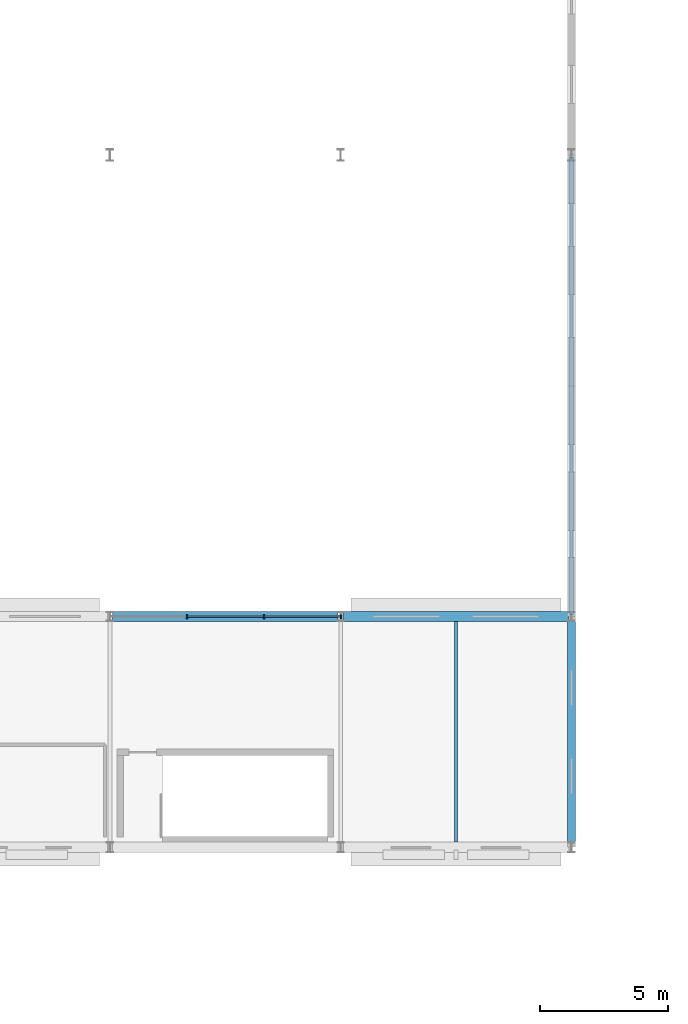
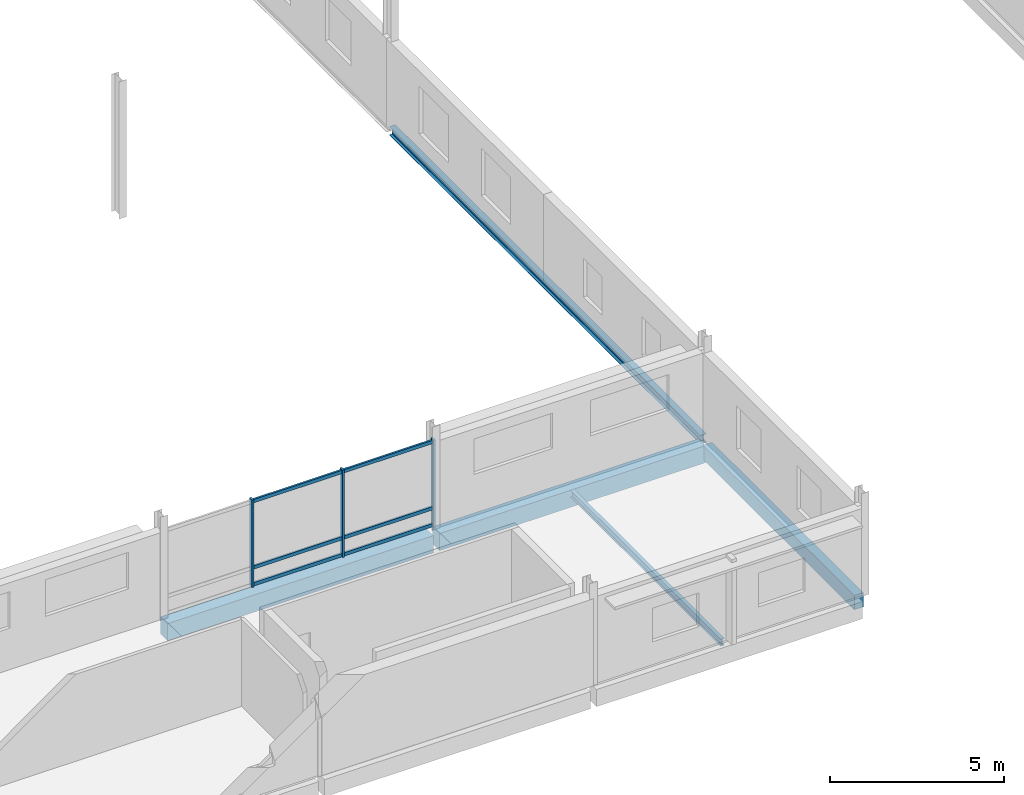
# One storey, part 70 of 132: 9 members, 5 beams, 1 element without a shape of its own.
"""IFC4 building model written with IfcOpenShell, lengths in metres."""

from ifc_helpers import new_model, si_unit, direction, frame, origin, origin_2d, place, context, subcontext, project, spatial, rectangle, i_section, extrude, material, material_profile, profile_set, type_object, element, aggregate, save


model = new_model("IFC4")

# Units and contexts
model_context = context("Model", 3, precision=1e-05, world=origin(), true_north=direction((0.0, 1.0)))
body_context = subcontext(model_context, "Body", "Model", "MODEL_VIEW")
ifc_project = project(units=[si_unit("LENGTHUNIT", "METRE"), si_unit("AREAUNIT", "SQUARE_METRE"), si_unit("VOLUMEUNIT", "CUBIC_METRE"), si_unit("PLANEANGLEUNIT", "RADIAN"), si_unit("MASSUNIT", "GRAM", prefix="KILO")], contexts=[model_context])

# Site, building, storey
site_placement = place(None, origin())
site = spatial("IfcSite", under=ifc_project, at=site_placement, CompositionType="ELEMENT")
building_placement = place(site_placement, origin())
building = spatial("IfcBuilding", under=site, at=building_placement, Name="Tharagai Park Tramway Depot", CompositionType="ELEMENT")
storey_placement = place(building_placement, frame((0.0, 0.0, 4.800048828125)))
storey = spatial("IfcBuildingStorey", under=building, at=storey_placement, Name="L01", CompositionType="ELEMENT", Elevation=4.800048828125)

# Curtain wall, members
ifc_material_1 = material(Name="Anodised aluminium", Category="aluminium")
curtain_wall_type = type_object("IfcCurtainWallType", Name="CW-01", PredefinedType="NOTDEFINED", material=ifc_material_1)
curtain_wall_placement = place(storey_placement, origin())
curtain_wall = element("IfcCurtainWall", 1, at=curtain_wall_placement, inside=storey, type_object=curtain_wall_type, Name="L01 V1 Gothic Mullioned Curtain Wall CW-01", PredefinedType="NOTDEFINED")
ifc_material_profile_1 = material_profile(ifc_material_1, rectangle(XDim=0.06494140625, YDim=0.1201171875, at=origin_2d()), Name="ALU 65x120")
ifc_profile_set_1 = profile_set([ifc_material_profile_1], Name="Anodised aluminium")
member_type_1 = type_object("IfcMemberType", Name="CM-01", PredefinedType="USERDEFINED", material=ifc_profile_set_1)
member_1_placement = place(storey_placement, frame((129.013671875, 99.0, 0.06005859375), z_axis=(1.0, 0.0, 0.0), x_axis=(0.0, 1.0, 0.0)))
member_1 = element("IfcMember", 2, at=member_1_placement, type_object=member_type_1, Name="L01 V1 Gothic Mullioned Curtain Wall Transom 2.1", ObjectType="TRANSOM", PredefinedType="USERDEFINED", context=body_context, shape_type="SweptSolid", body=[
    extrude(rectangle(XDim=0.06494140625, YDim=0.1201171875, at=origin_2d()), origin(), (0.0, 0.0, 1.0), 2.97265625),
])
member_2_placement = place(storey_placement, frame((129.013671875, 99.0, 0.64990234375), z_axis=(1.0, 0.0, 0.0), x_axis=(0.0, 1.0, 0.0)))
member_2 = element("IfcMember", 3, at=member_2_placement, type_object=member_type_1, Name="L01 V1 Gothic Mullioned Curtain Wall Transom 2.2", ObjectType="TRANSOM", PredefinedType="USERDEFINED", context=body_context, shape_type="SweptSolid", body=[
    extrude(rectangle(XDim=0.06494140625, YDim=0.1201171875, at=origin_2d()), origin(), (0.0, 0.0, 1.0), 2.97265625),
])
member_3_placement = place(storey_placement, frame((129.013671875, 99.0, 2.969970703125), z_axis=(1.0, 0.0, 0.0), x_axis=(0.0, 1.0, 0.0)))
member_3 = element("IfcMember", 4, at=member_3_placement, type_object=member_type_1, Name="L01 V1 Gothic Mullioned Curtain Wall Transom 2.3", ObjectType="TRANSOM", PredefinedType="USERDEFINED", context=body_context, shape_type="SweptSolid", body=[
    extrude(rectangle(XDim=0.06494140625, YDim=0.1201171875, at=origin_2d()), origin(), (0.0, 0.0, 1.0), 2.97265625),
])
member_4_placement = place(storey_placement, frame((132.016357421875, 99.0, 0.06005859375), z_axis=(1.0, 0.0, 0.0), x_axis=(0.0, 1.0, 0.0)))
member_4 = element("IfcMember", 5, at=member_4_placement, type_object=member_type_1, Name="L01 V1 Gothic Mullioned Curtain Wall Transom 3.1", ObjectType="TRANSOM", PredefinedType="USERDEFINED", context=body_context, shape_type="SweptSolid", body=[
    extrude(rectangle(XDim=0.06494140625, YDim=0.1201171875, at=origin_2d()), origin(), (0.0, 0.0, 1.0), 2.97265625),
])
member_5_placement = place(storey_placement, frame((132.016357421875, 99.0, 0.64990234375), z_axis=(1.0, 0.0, 0.0), x_axis=(0.0, 1.0, 0.0)))
member_5 = element("IfcMember", 6, at=member_5_placement, type_object=member_type_1, Name="L01 V1 Gothic Mullioned Curtain Wall Transom 3.2", ObjectType="TRANSOM", PredefinedType="USERDEFINED", context=body_context, shape_type="SweptSolid", body=[
    extrude(rectangle(XDim=0.06494140625, YDim=0.1201171875, at=origin_2d()), origin(), (0.0, 0.0, 1.0), 2.97265625),
])
member_6_placement = place(storey_placement, frame((132.016357421875, 99.0, 2.969970703125), z_axis=(1.0, 0.0, 0.0), x_axis=(0.0, 1.0, 0.0)))
member_6 = element("IfcMember", 7, at=member_6_placement, type_object=member_type_1, Name="L01 V1 Gothic Mullioned Curtain Wall Transom 3.3", ObjectType="TRANSOM", PredefinedType="USERDEFINED", context=body_context, shape_type="SweptSolid", body=[
    extrude(rectangle(XDim=0.06494140625, YDim=0.1201171875, at=origin_2d()), origin(), (0.0, 0.0, 1.0), 2.97265625),
])
ifc_material_profile_2 = material_profile(ifc_material_1, rectangle(XDim=0.06494140625, YDim=0.14990234375, at=origin_2d()), Name="ALU 65x150")
ifc_profile_set_2 = profile_set([ifc_material_profile_2], Name="Anodised aluminium")
member_type_2 = type_object("IfcMemberType", Name="CM-03", PredefinedType="MULLION", material=ifc_profile_set_2)
member_7_placement = place(storey_placement, frame((128.998779296875, 99.0, -0.005126953125), z_axis=(0.0, 0.0, 1.0), x_axis=(1.0, 0.0, 0.0)))
member_7 = element("IfcMember", 8, at=member_7_placement, type_object=member_type_2, Name="L01 V1 Gothic Mullioned Curtain Wall Mullion 2", PredefinedType="MULLION", context=body_context, shape_type="SweptSolid", body=[
    extrude(rectangle(XDim=0.06494140625, YDim=0.14990234375, at=origin_2d()), origin(), (0.0, 0.0, 1.0), 3.06005859375),
])
member_8_placement = place(storey_placement, frame((132.001220703125, 99.0, -0.005126953125), z_axis=(0.0, 0.0, 1.0), x_axis=(1.0, 0.0, 0.0)))
member_8 = element("IfcMember", 9, at=member_8_placement, type_object=member_type_2, Name="L01 V1 Gothic Mullioned Curtain Wall Mullion 3", PredefinedType="MULLION", context=body_context, shape_type="SweptSolid", body=[
    extrude(rectangle(XDim=0.06494140625, YDim=0.14990234375, at=origin_2d()), origin(), (0.0, 0.0, 1.0), 3.06005859375),
])
member_9_placement = place(storey_placement, frame((135.00390625, 99.0, -0.005126953125), z_axis=(0.0, 0.0, 1.0), x_axis=(1.0, 0.0, 0.0)))
member_9 = element("IfcMember", 10, at=member_9_placement, type_object=member_type_2, Name="L01 V1 Gothic Mullioned Curtain Wall Mullion 4", PredefinedType="MULLION", context=body_context, shape_type="SweptSolid", body=[
    extrude(rectangle(XDim=0.06494140625, YDim=0.14990234375, at=origin_2d()), origin(), (0.0, 0.0, 1.0), 3.06005859375),
])
aggregate(curtain_wall, [member_7, member_8, member_9, member_1, member_2, member_3, member_4, member_5, member_6])

# Beams
ifc_material_2 = material(Name="Steel E250", Category="steel")
ifc_material_profile_3 = material_profile(ifc_material_2, i_section(OverallWidth=0.125, OverallDepth=0.25, WebThickness=0.0068359375, FlangeThickness=0.012451171875, FilletRadius=0.012939453125, at=origin_2d()), Name="ISMB 250")
ifc_profile_set_3 = profile_set([ifc_material_profile_3], Name="Steel E250")
beam_type_1 = type_object("IfcBeamType", Name="JT-02", PredefinedType="JOIST", material=ifc_profile_set_3)
beam_1_placement = place(storey_placement, frame((139.5, 90.199951171875, -0.304931640625), z_axis=(0.0, 1.0, 0.0), x_axis=(-1.0, 0.0, 0.0)))
element("IfcBeam", 11, at=beam_1_placement, inside=storey, type_object=beam_type_1, Name="L01 Secondary Joist JT-02", PredefinedType="JOIST", context=body_context, shape_type="SweptSolid", body=[
    extrude(i_section(OverallWidth=0.125, OverallDepth=0.25, WebThickness=0.0068359375, FlangeThickness=0.012451171875, FilletRadius=0.012939453125, at=origin_2d()), origin(), (0.0, 0.0, 1.0), 8.60009765625),
])
ifc_material_3 = material(Name="Concrete M35", Category="concrete")
ifc_material_profile_4 = material_profile(ifc_material_3, rectangle(XDim=0.39990234375, YDim=0.60009765625, at=origin_2d()), Name="RC 400x600")
ifc_profile_set_4 = profile_set([ifc_material_profile_4], Name="Concrete M35")
beam_type_2 = type_object("IfcBeamType", Name="SP-02", PredefinedType="SPANDREL", material=ifc_profile_set_4)
for number, where, z_axis, x_axis, name in (
    (12, (126.10009765625, 99.0, -0.47998046875), (1.0, 0.0, 0.0), (0.0, 1.0, 0.0), "L01 Grid Beam SP-02"),
    (13, (135.10009765625, 99.0, -0.47998046875), (1.0, 0.0, 0.0), (0.0, 1.0, 0.0), "L01 Grid Beam SP-02"),
):
    element("IfcBeam", number, at=place(storey_placement, frame(where, z_axis=z_axis, x_axis=x_axis)), inside=storey, type_object=beam_type_2, Name=name, PredefinedType="SPANDREL", context=body_context, shape_type="SweptSolid", body=[
        extrude(rectangle(XDim=0.39990234375, YDim=0.60009765625, at=origin_2d()), origin(), (0.0, 0.0, 1.0), 8.7998046875),
    ])
ifc_material_profile_5 = material_profile(ifc_material_3, rectangle(XDim=0.300048828125, YDim=0.5, at=origin_2d()), Name="RC 300x500")
ifc_profile_set_5 = profile_set([ifc_material_profile_5], Name="Concrete M35")
beam_type_3 = type_object("IfcBeamType", Name="SP-03", PredefinedType="SPANDREL", material=ifc_profile_set_5)
beam_2_placement = place(storey_placement, frame((144.0, 90.175048828125, -0.429931640625), z_axis=(0.0, 1.0, 0.0), x_axis=(-1.0, 0.0, 0.0)))
element("IfcBeam", 14, at=beam_2_placement, inside=storey, type_object=beam_type_3, Name="L01 Grid Beam SP-03", PredefinedType="SPANDREL", context=body_context, shape_type="SweptSolid", body=[
    extrude(rectangle(XDim=0.300048828125, YDim=0.5, at=origin_2d()), origin(), (0.0, 0.0, 1.0), 8.675048828125),
])
ifc_material_4 = material(Name="Steel E350", Category="steel")
ifc_material_profile_6 = material_profile(ifc_material_4, i_section(OverallWidth=0.199951171875, OverallDepth=0.300048828125, WebThickness=0.00732421875, FlangeThickness=0.010009765625, FilletRadius=0.010986328125, at=origin_2d()), Name="ISWB 300")
ifc_profile_set_6 = profile_set([ifc_material_profile_6], Name="Steel E350")
beam_type_4 = type_object("IfcBeamType", Name="SP-04", PredefinedType="SPANDREL", material=ifc_profile_set_6)
beam_3_placement = place(storey_placement, frame((144.0, 99.080078125, -0.150146484375), z_axis=(0.0, 1.0, 0.0), x_axis=(-1.0, 0.0, 0.0)))
element("IfcBeam", 15, at=beam_3_placement, inside=storey, type_object=beam_type_4, Name="V1 Shed Gable Girt Beam SP-04", PredefinedType="SPANDREL", context=body_context, shape_type="SweptSolid", body=[
    extrude(i_section(OverallWidth=0.199951171875, OverallDepth=0.300048828125, WebThickness=0.00732421875, FlangeThickness=0.010009765625, FilletRadius=0.010986328125, at=origin_2d()), origin(), (0.0, 0.0, 1.0), 17.83984375),
])

save(model, "model.ifc")
